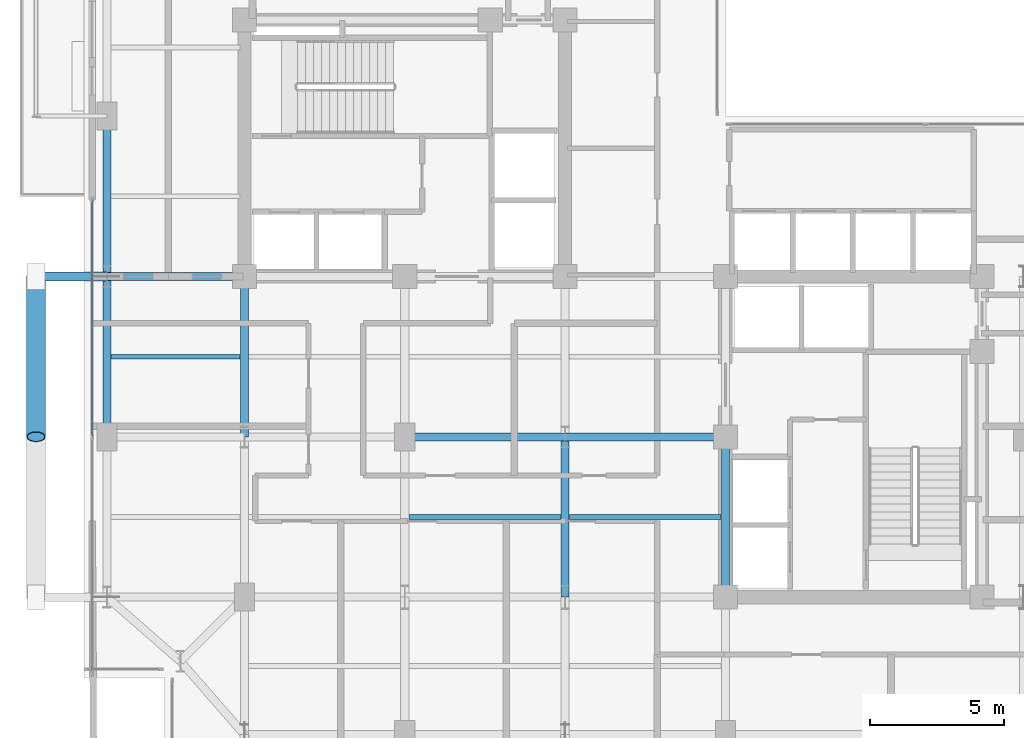
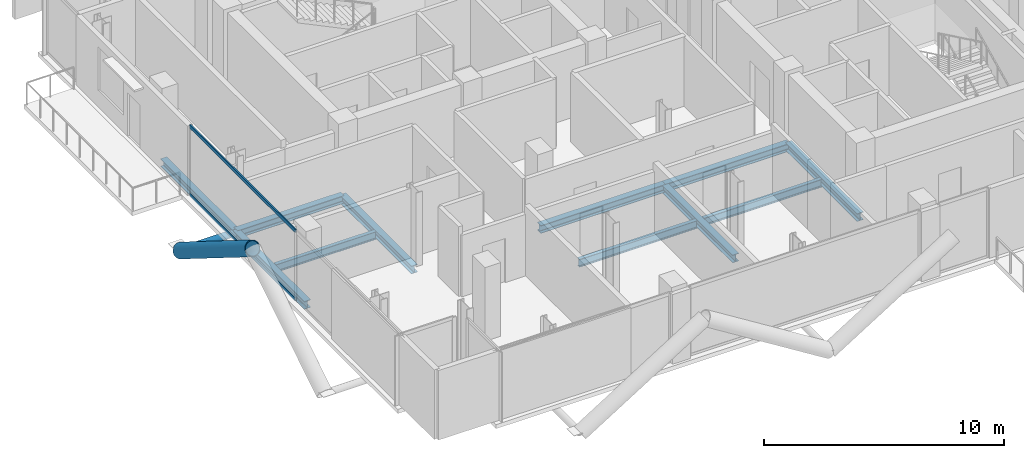
# One storey, part 6 of 26: 11 beams, 4 members, 1 element without a shape of its own.
"""IFC4 building model written with IfcOpenShell, lengths in metres."""

from ifc_helpers import new_model, si_unit, direction, frame, origin, origin_2d, place, context, subcontext, project, spatial, hollow_rectangle, hollow_circle, i_section, extrude, material, layer, layer_set, material_profile, profile_set, type_object, element, aggregate, save


model = new_model("IFC4")

# Units and contexts
model_context = context("Model", 3, precision=1e-05, world=origin(), true_north=direction((0.0, 1.0)))
body_context = subcontext(model_context, "Body", "Model", "MODEL_VIEW")
ifc_project = project(units=[si_unit("LENGTHUNIT", "METRE"), si_unit("AREAUNIT", "SQUARE_METRE"), si_unit("VOLUMEUNIT", "CUBIC_METRE"), si_unit("PLANEANGLEUNIT", "RADIAN"), si_unit("MASSUNIT", "GRAM", prefix="KILO"), si_unit("THERMODYNAMICTEMPERATUREUNIT", "KELVIN"), si_unit("POWERUNIT", "WATT")], contexts=[model_context])

# Site, building, storey
site_placement = place(None, origin())
site = spatial("IfcSite", under=ifc_project, at=site_placement, CompositionType="ELEMENT")
building_placement = place(site_placement, origin())
building = spatial("IfcBuilding", under=site, at=building_placement, Name="Svarakhadi Broadcast Tower", CompositionType="ELEMENT")
storey_placement = place(building_placement, frame((0.0, 0.0, 180.449951171875)))
storey = spatial("IfcBuildingStorey", under=building, at=storey_placement, Name="L44", CompositionType="ELEMENT", Elevation=180.449951171875)

# Beams
ifc_material_1 = material(Name="Steel S355J2 (IS 2062 E350C)", Category="steel")
ifc_material_profile_1 = material_profile(ifc_material_1, i_section(OverallWidth=0.179931640625, OverallDepth=0.39990234375, WebThickness=0.008544921875, FlangeThickness=0.013427734375, FilletRadius=0.02099609375, at=origin_2d()), Name="NPB 400x180x66")
ifc_profile_set_1 = profile_set([ifc_material_profile_1], Name="Steel S355J2 (IS 2062 E350C)")
beam_type_1 = type_object("IfcBeamType", Name="Beam_NPB400", PredefinedType="BEAM", material=ifc_profile_set_1)
beam_1_placement = place(storey_placement, frame((1.010009765625, 15.0, -0.409912109375), z_axis=(1.0, 0.0, 0.0), x_axis=(0.0, 1.0, 0.0)))
element("IfcBeam", 1, at=beam_1_placement, inside=storey, type_object=beam_type_1, Name="L44 Secondary Composite Beam SB002", PredefinedType="BEAM", context=body_context, shape_type="SweptSolid", body=[
    extrude(i_section(OverallWidth=0.179931640625, OverallDepth=0.39990234375, WebThickness=0.008544921875, FlangeThickness=0.013427734375, FilletRadius=0.02099609375, at=origin_2d()), origin(), (0.0, 0.0, 1.0), 4.830078125),
])
for number, where, z_axis, x_axis, name in (
    (2, (12.159912109375, 9.0, -0.409912109375), (1.0, 0.0, 0.0), (0.0, 1.0, 0.0), "L44 Secondary Composite Beam SB010"),
    (3, (18.159912109375, 9.0, -0.409912109375), (1.0, 0.0, 0.0), (0.0, 1.0, 0.0), "L44 Secondary Composite Beam SB014"),
):
    element("IfcBeam", number, at=place(storey_placement, frame(where, z_axis=z_axis, x_axis=x_axis)), inside=storey, type_object=beam_type_1, Name=name, PredefinedType="BEAM", context=body_context, shape_type="SweptSolid", body=[
        extrude(i_section(OverallWidth=0.179931640625, OverallDepth=0.39990234375, WebThickness=0.008544921875, FlangeThickness=0.013427734375, FilletRadius=0.02099609375, at=origin_2d()), origin(), (0.0, 0.0, 1.0), 5.68017578125),
    ])

# Curtain wall, members
ifc_material_2 = material(Name="Anodised Bronze Aluminium AA 6063-T6", Category="aluminium")
ifc_layer = layer(ifc_material_2, 0.18994140625)
ifc_layer_set = layer_set([ifc_layer], Name="Anodised Bronze Aluminium AA 6063-T6")
curtain_wall_type = type_object("IfcCurtainWallType", Name="CW_Sys_04", PredefinedType="NOTDEFINED", material=ifc_layer_set)
curtain_wall_placement = place(storey_placement, origin())
curtain_wall = element("IfcCurtainWall", 4, at=curtain_wall_placement, inside=storey, type_object=curtain_wall_type, Name="L44 West Curtain Wall 02", PredefinedType="NOTDEFINED")
ifc_material_profile_2 = material_profile(ifc_material_2, hollow_rectangle(XDim=0.06494140625, YDim=0.175048828125, WallThickness=0.0048828125, at=origin_2d()), Name="ALU TRANSOM 175x65x5")
ifc_profile_set_2 = profile_set([ifc_material_profile_2], Name="Anodised Bronze Aluminium AA 6063-T6")
member_type_1 = type_object("IfcMemberType", Name="CW_Sys_04_Trn", PredefinedType="USERDEFINED", material=ifc_profile_set_2)
member_1_placement = place(storey_placement, frame((0.300048828125, 12.034912109375, 0.032470703125), z_axis=(0.0, 1.0, 0.0), x_axis=(-1.0, 0.0, 0.0)))
member_1 = element("IfcMember", 5, at=member_1_placement, type_object=member_type_1, Name="CW-04 transom 2.1", ObjectType="TRANSOM", PredefinedType="USERDEFINED", context=body_context, shape_type="SweptSolid", body=[
    extrude(hollow_rectangle(XDim=0.06494140625, YDim=0.175048828125, WallThickness=0.0048828125, at=origin_2d()), origin(), (0.0, 0.0, 1.0), 8.80517578125),
])
member_2_placement = place(storey_placement, frame((0.300048828125, 12.034912109375, 3.507568359375), z_axis=(0.0, 1.0, 0.0), x_axis=(-1.0, 0.0, 0.0)))
member_2 = element("IfcMember", 6, at=member_2_placement, type_object=member_type_1, Name="CW-04 transom 2.2", ObjectType="TRANSOM", PredefinedType="USERDEFINED", context=body_context, shape_type="SweptSolid", body=[
    extrude(hollow_rectangle(XDim=0.06494140625, YDim=0.175048828125, WallThickness=0.0048828125, at=origin_2d()), origin(), (0.0, 0.0, 1.0), 8.80517578125),
])
aggregate(curtain_wall, [member_1, member_2])

# Members
ifc_material_3 = material(Name="Steel S460ML (IS 2062 E450BR)", Category="steel")
ifc_material_profile_3 = material_profile(ifc_material_3, hollow_circle(Radius=0.35546875, WallThickness=0.034912109375, at=origin_2d()), Name="CHS 711x35")
ifc_profile_set_3 = profile_set([ifc_material_profile_3], Name="Steel S460ML (IS 2062 E450BR)")
member_type_2 = type_object("IfcMemberType", Name="Exo_Brace_CHS711", PredefinedType="BRACE", material=ifc_profile_set_3)
member_3_placement = place(storey_placement, frame((-1.800048828125, 18.0, -0.371826171875), z_axis=(0.0, -0.847998304005, 0.529998940003), x_axis=(1.0, 0.0, 0.0)))
element("IfcMember", 7, at=member_3_placement, inside=storey, type_object=member_type_2, Name="L44 Exposed Bronze Exoskeleton Diagonal W05", PredefinedType="BRACE", context=body_context, shape_type="SweptSolid", body=[
    extrude(hollow_circle(Radius=0.35546875, WallThickness=0.034912109375, at=origin_2d()), origin(), (0.0, 0.0, 1.0), 7.075439453125),
])
ifc_material_profile_4 = material_profile(ifc_material_3, hollow_circle(Radius=0.161865234375, WallThickness=0.01611328125, at=origin_2d()), Name="CHS 323.9x16")
ifc_profile_set_4 = profile_set([ifc_material_profile_4], Name="Steel S460ML (IS 2062 E450BR)")
member_type_3 = type_object("IfcMemberType", Name="Exo_Radial_Strut_Z2", PredefinedType="STRUT", material=ifc_profile_set_4)
member_4_placement = place(storey_placement, frame((-1.800048828125, 18.0, -0.371826171875), z_axis=(1.0, 0.0, 0.0), x_axis=(0.0, 1.0, 0.0)))
element("IfcMember", 8, at=member_4_placement, inside=storey, type_object=member_type_3, Name="L44 Exoskeleton Radial Tie Strut W05", PredefinedType="STRUT", context=body_context, shape_type="SweptSolid", body=[
    extrude(hollow_circle(Radius=0.161865234375, WallThickness=0.01611328125, at=origin_2d()), origin(), (0.0, 0.0, 1.0), 2.650146484375),
])

# Beams
ifc_material_profile_5 = material_profile(ifc_material_1, i_section(OverallWidth=0.300048828125, OverallDepth=0.39990234375, WebThickness=0.013427734375, FlangeThickness=0.02392578125, FilletRadius=0.027099609375, at=origin_2d()), Name="WPB 400x300x155")
ifc_profile_set_5 = profile_set([ifc_material_profile_5], Name="Steel S355J2 (IS 2062 E350C)")
beam_type_2 = type_object("IfcBeamType", Name="Girder_WPB400", PredefinedType="USERDEFINED", material=ifc_profile_set_5)
for number, where, z_axis, x_axis, name in (
    (9, (12.0, 12.0, -0.409912109375), (1.0, 0.0, 0.0), (0.0, 1.0, 0.0), "L44 Primary E-W Girder G017"),
    (10, (18.0, 12.0, -0.409912109375), (1.0, 0.0, 0.0), (0.0, 1.0, 0.0), "L44 Primary E-W Girder G018"),
):
    element("IfcBeam", number, at=place(storey_placement, frame(where, z_axis=z_axis, x_axis=x_axis)), inside=storey, type_object=beam_type_2, Name=name, ObjectType="GIRDER", PredefinedType="USERDEFINED", context=body_context, shape_type="SweptSolid", body=[
        extrude(i_section(OverallWidth=0.300048828125, OverallDepth=0.39990234375, WebThickness=0.013427734375, FlangeThickness=0.02392578125, FilletRadius=0.027099609375, at=origin_2d()), origin(), (0.0, 0.0, 1.0), 6.0),
    ])
beam_2_placement = place(storey_placement, frame((0.85009765625, 18.0, -0.409912109375), z_axis=(1.0, 0.0, 0.0), x_axis=(0.0, 1.0, 0.0)))
element("IfcBeam", 11, at=beam_2_placement, inside=storey, type_object=beam_type_2, Name="L44 Primary E-W Girder G020", ObjectType="GIRDER", PredefinedType="USERDEFINED", context=body_context, shape_type="SweptSolid", body=[
    extrude(i_section(OverallWidth=0.300048828125, OverallDepth=0.39990234375, WebThickness=0.013427734375, FlangeThickness=0.02392578125, FilletRadius=0.027099609375, at=origin_2d()), origin(), (0.0, 0.0, 1.0), 5.14990234375),
])
for number, where, z_axis, x_axis, name in (
    (12, (0.85009765625, 12.0, -0.409912109375), (0.0, 1.0, 0.0), (-1.0, 0.0, 0.0), "L44 Primary N-S Girder G034"),
    (13, (0.85009765625, 18.0, -0.409912109375), (0.0, 1.0, 0.0), (-1.0, 0.0, 0.0), "L44 Primary N-S Girder G035"),
    (14, (6.0, 12.0, -0.409912109375), (0.0, 1.0, 0.0), (-1.0, 0.0, 0.0), "L44 Primary N-S Girder G039"),
    (15, (18.0, 6.0, -0.409912109375), (0.0, 1.0, 0.0), (-1.0, 0.0, 0.0), "L44 Primary N-S Girder G047"),
    (16, (24.0, 6.0, -0.409912109375), (0.0, 1.0, 0.0), (-1.0, 0.0, 0.0), "L44 Primary N-S Girder G052"),
):
    element("IfcBeam", number, at=place(storey_placement, frame(where, z_axis=z_axis, x_axis=x_axis)), inside=storey, type_object=beam_type_2, Name=name, ObjectType="GIRDER", PredefinedType="USERDEFINED", context=body_context, shape_type="SweptSolid", body=[
        extrude(i_section(OverallWidth=0.300048828125, OverallDepth=0.39990234375, WebThickness=0.013427734375, FlangeThickness=0.02392578125, FilletRadius=0.027099609375, at=origin_2d()), origin(), (0.0, 0.0, 1.0), 6.0),
    ])

save(model, "model.ifc")
